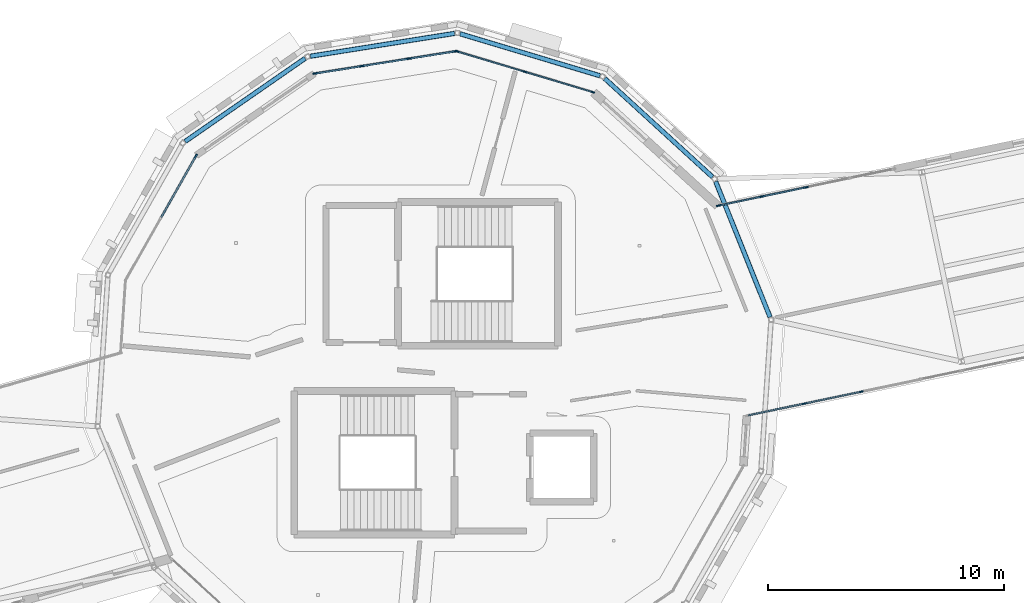
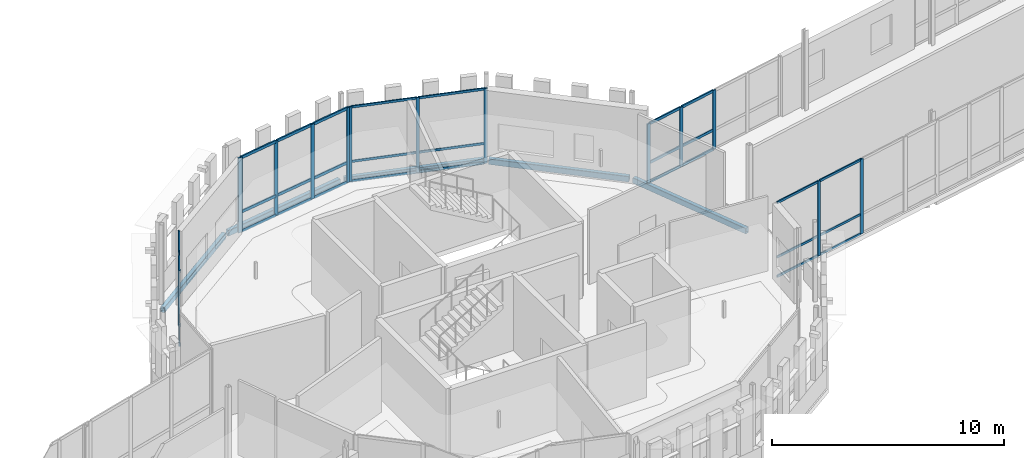
# One storey, part 50 of 125: 43 members, 5 beams, 5 elements without a shape of their own.
"""IFC4 building model written with IfcOpenShell, lengths in metres."""

from ifc_helpers import new_model, si_unit, direction, frame, origin, origin_2d, place, context, subcontext, project, spatial, rectangle, hollow_rectangle, extrude, material, material_profile, profile_set, type_object, element, aggregate, save


model = new_model("IFC4")

# Units and contexts
model_context = context("Model", 3, precision=1e-05, world=origin(), true_north=direction((0.0, 1.0)))
body_context = subcontext(model_context, "Body", "Model", "MODEL_VIEW")
ifc_project = project(units=[si_unit("LENGTHUNIT", "METRE"), si_unit("AREAUNIT", "SQUARE_METRE"), si_unit("VOLUMEUNIT", "CUBIC_METRE"), si_unit("PLANEANGLEUNIT", "RADIAN"), si_unit("MASSUNIT", "GRAM", prefix="KILO")], contexts=[model_context])

# Site, building, storey
site_placement = place(None, origin())
site = spatial("IfcSite", under=ifc_project, at=site_placement, CompositionType="ELEMENT")
building_placement = place(site_placement, origin())
building = spatial("IfcBuilding", under=site, at=building_placement, Name="Wrenclough Park School", CompositionType="ELEMENT")
storey_placement = place(building_placement, frame((0.0, 0.0, 4.199951171875)))
storey = spatial("IfcBuildingStorey", under=building, at=storey_placement, Name="L01", CompositionType="ELEMENT", Elevation=4.199951171875)

# Curtain wall, members
ifc_material_1 = material(Name="Thermally broken aluminium and low-e glass curtain wall", Category="aluminium")
curtain_wall_type_1 = type_object("IfcCurtainWallType", Name="ENV-CW-10", PredefinedType="USERDEFINED", material=ifc_material_1)
curtain_wall_1_placement = place(storey_placement, origin())
curtain_wall_1 = element("IfcCurtainWall", 1, at=curtain_wall_1_placement, inside=storey, type_object=curtain_wall_type_1, Name="L01 recessed curtain wall assembly 105", ObjectType="CURTAIN WALL", PredefinedType="USERDEFINED")
ifc_material_2 = material(Name="Thermally broken anodised aluminium", Category="aluminium")
ifc_material_profile_1 = material_profile(ifc_material_2, rectangle(XDim=0.06005859375, YDim=0.159912109375, at=origin_2d()), Name="AL MULLION 60x160")
ifc_profile_set_1 = profile_set([ifc_material_profile_1], Name="Thermally broken anodised aluminium")
member_type_1 = type_object("IfcMemberType", Name="ENV-CWM-1", PredefinedType="MULLION", material=ifc_profile_set_1)
member_1_placement = place(storey_placement, frame((83.95263671875, 122.135986328125, 0.0), z_axis=(0.0, 0.0, 1.0), x_axis=(0.287583325168, 0.957755621798, 0.0)))
member_1 = element("IfcMember", 2, at=member_1_placement, type_object=member_type_1, Name="CW-10 mullion 1", PredefinedType="MULLION", context=body_context, shape_type="SweptSolid", body=[
    extrude(rectangle(XDim=0.06005859375, YDim=0.159912109375, at=origin_2d()), origin(), (0.0, 0.0, 1.0), 3.93994140625),
])
member_2_placement = place(storey_placement, frame((86.834716796875, 121.270751953125, 0.0), z_axis=(0.0, 0.0, 1.0), x_axis=(0.287583325168, 0.957755621798, 0.0)))
member_2 = element("IfcMember", 3, at=member_2_placement, type_object=member_type_1, Name="CW-10 mullion 2", PredefinedType="MULLION", context=body_context, shape_type="SweptSolid", body=[
    extrude(rectangle(XDim=0.06005859375, YDim=0.159912109375, at=origin_2d()), origin(), (0.0, 0.0, 1.0), 3.93994140625),
])
member_3_placement = place(storey_placement, frame((89.717041015625, 120.4052734375, 0.0), z_axis=(0.0, 0.0, 1.0), x_axis=(0.287583325168, 0.957755621798, 0.0)))
member_3 = element("IfcMember", 4, at=member_3_placement, type_object=member_type_1, Name="CW-10 mullion 3", PredefinedType="MULLION", context=body_context, shape_type="SweptSolid", body=[
    extrude(rectangle(XDim=0.06005859375, YDim=0.159912109375, at=origin_2d()), origin(), (0.0, 0.0, 1.0), 3.93994140625),
])

curtain_wall_type_2 = type_object("IfcCurtainWallType", Name="ENV-CW-06", PredefinedType="USERDEFINED", material=ifc_material_1)
curtain_wall_2_placement = place(storey_placement, origin())
curtain_wall_2 = element("IfcCurtainWall", 5, at=curtain_wall_2_placement, inside=storey, type_object=curtain_wall_type_2, Name="L01 recessed curtain wall assembly 165", ObjectType="CURTAIN WALL", PredefinedType="USERDEFINED")
member_4_placement = place(storey_placement, frame((101.10107421875, 107.71142578125, 0.0), z_axis=(0.0, 0.0, 1.0), x_axis=(0.204873635602, -0.978788431396, 0.0)))
member_4 = element("IfcMember", 6, at=member_4_placement, type_object=member_type_1, Name="CW-06 mullion 2", PredefinedType="MULLION", context=body_context, shape_type="SweptSolid", body=[
    extrude(rectangle(XDim=0.06005859375, YDim=0.159912109375, at=origin_2d()), origin(), (0.0, 0.0, 1.0), 3.93994140625),
])
member_5_placement = place(storey_placement, frame((98.673828125, 107.203369140625, 0.0), z_axis=(0.0, 0.0, 1.0), x_axis=(0.204873635602, -0.978788431396, 0.0)))
member_5 = element("IfcMember", 7, at=member_5_placement, type_object=member_type_1, Name="CW-06 mullion 3", PredefinedType="MULLION", context=body_context, shape_type="SweptSolid", body=[
    extrude(rectangle(XDim=0.06005859375, YDim=0.159912109375, at=origin_2d()), origin(), (0.0, 0.0, 1.0), 3.93994140625),
])

# Curtain wall, member
curtain_wall_type_3 = type_object("IfcCurtainWallType", Name="ENV-CW-08", PredefinedType="USERDEFINED", material=ifc_material_1)
curtain_wall_3_placement = place(storey_placement, origin())
curtain_wall_3 = element("IfcCurtainWall", 8, at=curtain_wall_3_placement, inside=storey, type_object=curtain_wall_type_3, Name="L01 recessed curtain wall assembly 103", ObjectType="CURTAIN WALL", PredefinedType="USERDEFINED")
ifc_material_profile_2 = material_profile(ifc_material_2, rectangle(XDim=0.06494140625, YDim=0.179931640625, at=origin_2d()), Name="AL MULLION 65x180")
ifc_profile_set_2 = profile_set([ifc_material_profile_2], Name="Thermally broken anodised aluminium")
member_type_2 = type_object("IfcMemberType", Name="ENV-CWM-2", PredefinedType="MULLION", material=ifc_profile_set_2)
member_6_placement = place(storey_placement, frame((72.886962890625, 117.69580078125, 0.0), z_axis=(0.0, 0.0, 1.0), x_axis=(-0.869745456163, 0.493500599274, 0.0)))
member_6 = element("IfcMember", 9, at=member_6_placement, type_object=member_type_2, Name="CW-08 mullion 3", PredefinedType="MULLION", context=body_context, shape_type="SweptSolid", body=[
    extrude(rectangle(XDim=0.06494140625, YDim=0.179931640625, at=origin_2d()), origin(), (0.0, 0.0, 1.0), 3.93994140625),
])

# Curtain wall, members
curtain_wall_type_4 = type_object("IfcCurtainWallType", Name="ENV-CW-11", PredefinedType="USERDEFINED", material=ifc_material_1)
curtain_wall_4_placement = place(storey_placement, origin())
curtain_wall_4 = element("IfcCurtainWall", 10, at=curtain_wall_4_placement, inside=storey, type_object=curtain_wall_type_4, Name="L01 recessed curtain wall assembly 106", ObjectType="CURTAIN WALL", PredefinedType="USERDEFINED")
member_7_placement = place(storey_placement, frame((95.04248046875, 115.59765625, 0.0), z_axis=(0.0, 0.0, 1.0), x_axis=(-0.204871023923, 0.978788978052, 0.0)))
member_7 = element("IfcMember", 11, at=member_7_placement, type_object=member_type_2, Name="CW-11 mullion 1", PredefinedType="MULLION", context=body_context, shape_type="SweptSolid", body=[
    extrude(rectangle(XDim=0.06494140625, YDim=0.179931640625, at=origin_2d()), origin(), (0.0, 0.0, 1.0), 3.132080078125),
])
member_8_placement = place(storey_placement, frame((96.881103515625, 115.982421875, 0.0), z_axis=(0.0, 0.0, 1.0), x_axis=(-0.204871023923, 0.978788978052, 0.0)))
member_8 = element("IfcMember", 12, at=member_8_placement, type_object=member_type_2, Name="CW-11 mullion 2", PredefinedType="MULLION", context=body_context, shape_type="SweptSolid", body=[
    extrude(rectangle(XDim=0.06494140625, YDim=0.179931640625, at=origin_2d()), origin(), (0.0, 0.0, 1.0), 3.132080078125),
])
member_9_placement = place(storey_placement, frame((98.75146484375, 116.373779296875, 0.0), z_axis=(0.0, 0.0, 1.0), x_axis=(-0.204871023923, 0.978788978052, 0.0)))
member_9 = element("IfcMember", 13, at=member_9_placement, type_object=member_type_2, Name="CW-11 mullion 3", PredefinedType="MULLION", context=body_context, shape_type="SweptSolid", body=[
    extrude(rectangle(XDim=0.06494140625, YDim=0.179931640625, at=origin_2d()), origin(), (0.0, 0.0, 1.0), 3.132080078125),
])

curtain_wall_type_5 = type_object("IfcCurtainWallType", Name="ENV-CW-09", PredefinedType="USERDEFINED", material=ifc_material_1)
curtain_wall_5_placement = place(storey_placement, origin())
curtain_wall_5 = element("IfcCurtainWall", 14, at=curtain_wall_5_placement, inside=storey, type_object=curtain_wall_type_5, Name="L01 recessed curtain wall assembly 104", ObjectType="CURTAIN WALL", PredefinedType="USERDEFINED")
ifc_material_profile_3 = material_profile(ifc_material_2, rectangle(XDim=0.070068359375, YDim=0.199951171875, at=origin_2d()), Name="AL MULLION 70x200")
ifc_profile_set_3 = profile_set([ifc_material_profile_3], Name="Thermally broken anodised aluminium")
member_type_3 = type_object("IfcMemberType", Name="ENV-CWM-3", PredefinedType="MULLION", material=ifc_profile_set_3)
member_10_placement = place(storey_placement, frame((77.946533203125, 121.199951171875, 0.0), z_axis=(0.0, 0.0, 1.0), x_axis=(-0.156425475408, 0.987689764371, 0.0)))
member_10 = element("IfcMember", 15, at=member_10_placement, type_object=member_type_3, Name="CW-09 mullion 1", PredefinedType="MULLION", context=body_context, shape_type="SweptSolid", body=[
    extrude(rectangle(XDim=0.070068359375, YDim=0.199951171875, at=origin_2d()), origin(), (0.0, 0.0, 1.0), 3.93994140625),
])
member_11_placement = place(storey_placement, frame((79.913330078125, 121.511474609375, 0.0), z_axis=(0.0, 0.0, 1.0), x_axis=(-0.156425475408, 0.987689764371, 0.0)))
member_11 = element("IfcMember", 16, at=member_11_placement, type_object=member_type_3, Name="CW-09 mullion 2", PredefinedType="MULLION", context=body_context, shape_type="SweptSolid", body=[
    extrude(rectangle(XDim=0.070068359375, YDim=0.199951171875, at=origin_2d()), origin(), (0.0, 0.0, 1.0), 3.93994140625),
])
member_12_placement = place(storey_placement, frame((81.914794921875, 121.828369140625, 0.0), z_axis=(0.0, 0.0, 1.0), x_axis=(-0.156425475408, 0.987689764371, 0.0)))
member_12 = element("IfcMember", 17, at=member_12_placement, type_object=member_type_3, Name="CW-09 mullion 3", PredefinedType="MULLION", context=body_context, shape_type="SweptSolid", body=[
    extrude(rectangle(XDim=0.070068359375, YDim=0.199951171875, at=origin_2d()), origin(), (0.0, 0.0, 1.0), 3.93994140625),
])
member_13_placement = place(storey_placement, frame((83.881591796875, 122.139892578125, 0.0), z_axis=(0.0, 0.0, 1.0), x_axis=(-0.156425475408, 0.987689764371, 0.0)))
member_13 = element("IfcMember", 18, at=member_13_placement, type_object=member_type_3, Name="CW-09 mullion 4", PredefinedType="MULLION", context=body_context, shape_type="SweptSolid", body=[
    extrude(rectangle(XDim=0.070068359375, YDim=0.199951171875, at=origin_2d()), origin(), (0.0, 0.0, 1.0), 3.93994140625),
])

# Member
ifc_material_profile_4 = material_profile(ifc_material_2, rectangle(XDim=0.06005859375, YDim=0.1201171875, at=origin_2d()), Name="AL TRANSOM 60x120")
ifc_profile_set_4 = profile_set([ifc_material_profile_4], Name="Thermally broken anodised aluminium")
member_type_4 = type_object("IfcMemberType", Name="ENV-CWT-1", PredefinedType="USERDEFINED", material=ifc_profile_set_4)
member_14_placement = place(storey_placement, frame((83.9814453125, 122.12744140625, 0.030029296875), z_axis=(0.957757908143, -0.287575710708, 0.0), x_axis=(0.287575710708, 0.957757908143, 0.0)))
member_14 = element("IfcMember", 19, at=member_14_placement, type_object=member_type_4, Name="CW-10 transom 1.1", ObjectType="TRANSOM", PredefinedType="USERDEFINED", context=body_context, shape_type="SweptSolid", body=[
    extrude(rectangle(XDim=0.06005859375, YDim=0.1201171875, at=origin_2d()), origin(), (0.0, 0.0, 1.0), 2.94921875),
])

member_15_placement = place(storey_placement, frame((83.9814453125, 122.12744140625, 1.050048828125), z_axis=(0.957757908143, -0.287575710708, 0.0), x_axis=(0.287575710708, 0.957757908143, 0.0)))
member_15 = element("IfcMember", 20, at=member_15_placement, type_object=member_type_4, Name="CW-10 transom 1.2", ObjectType="TRANSOM", PredefinedType="USERDEFINED", context=body_context, shape_type="SweptSolid", body=[
    extrude(rectangle(XDim=0.06005859375, YDim=0.1201171875, at=origin_2d()), origin(), (0.0, 0.0, 1.0), 2.94921875),
])

member_16_placement = place(storey_placement, frame((83.9814453125, 122.12744140625, 3.91015625), z_axis=(0.957757908143, -0.287575710708, 0.0), x_axis=(0.287575710708, 0.957757908143, 0.0)))
member_16 = element("IfcMember", 21, at=member_16_placement, type_object=member_type_4, Name="CW-10 transom 1.3", ObjectType="TRANSOM", PredefinedType="USERDEFINED", context=body_context, shape_type="SweptSolid", body=[
    extrude(rectangle(XDim=0.06005859375, YDim=0.1201171875, at=origin_2d()), origin(), (0.0, 0.0, 1.0), 2.94921875),
])

member_17_placement = place(storey_placement, frame((86.863525390625, 121.261962890625, 0.030029296875), z_axis=(0.957757908143, -0.287575710708, 0.0), x_axis=(0.287575710708, 0.957757908143, 0.0)))
member_17 = element("IfcMember", 22, at=member_17_placement, type_object=member_type_4, Name="CW-10 transom 2.1", ObjectType="TRANSOM", PredefinedType="USERDEFINED", context=body_context, shape_type="SweptSolid", body=[
    extrude(rectangle(XDim=0.06005859375, YDim=0.1201171875, at=origin_2d()), origin(), (0.0, 0.0, 1.0), 2.94921875),
])

member_18_placement = place(storey_placement, frame((86.863525390625, 121.261962890625, 1.050048828125), z_axis=(0.957757908143, -0.287575710708, 0.0), x_axis=(0.287575710708, 0.957757908143, 0.0)))
member_18 = element("IfcMember", 23, at=member_18_placement, type_object=member_type_4, Name="CW-10 transom 2.2", ObjectType="TRANSOM", PredefinedType="USERDEFINED", context=body_context, shape_type="SweptSolid", body=[
    extrude(rectangle(XDim=0.06005859375, YDim=0.1201171875, at=origin_2d()), origin(), (0.0, 0.0, 1.0), 2.94921875),
])

member_19_placement = place(storey_placement, frame((86.863525390625, 121.261962890625, 3.91015625), z_axis=(0.957757908143, -0.287575710708, 0.0), x_axis=(0.287575710708, 0.957757908143, 0.0)))
member_19 = element("IfcMember", 24, at=member_19_placement, type_object=member_type_4, Name="CW-10 transom 2.3", ObjectType="TRANSOM", PredefinedType="USERDEFINED", context=body_context, shape_type="SweptSolid", body=[
    extrude(rectangle(XDim=0.06005859375, YDim=0.1201171875, at=origin_2d()), origin(), (0.0, 0.0, 1.0), 2.94921875),
])

aggregate(curtain_wall_1, [member_1, member_2, member_3, member_14, member_15, member_16, member_17, member_18, member_19])

member_20_placement = place(storey_placement, frame((101.07177734375, 107.705322265625, 0.030029296875), z_axis=(-0.978803796015, -0.204800217059, 0.0), x_axis=(0.204800217059, -0.978803796015, 0.0)))
member_20 = element("IfcMember", 25, at=member_20_placement, type_object=member_type_4, Name="CW-06 transom 2.1", ObjectType="TRANSOM", PredefinedType="USERDEFINED", context=body_context, shape_type="SweptSolid", body=[
    extrude(rectangle(XDim=0.06005859375, YDim=0.1201171875, at=origin_2d()), origin(), (0.0, 0.0, 1.0), 2.419921875),
])

member_21_placement = place(storey_placement, frame((101.07177734375, 107.705322265625, 1.050048828125), z_axis=(-0.978803796015, -0.204800217059, 0.0), x_axis=(0.204800217059, -0.978803796015, 0.0)))
member_21 = element("IfcMember", 26, at=member_21_placement, type_object=member_type_4, Name="CW-06 transom 2.2", ObjectType="TRANSOM", PredefinedType="USERDEFINED", context=body_context, shape_type="SweptSolid", body=[
    extrude(rectangle(XDim=0.06005859375, YDim=0.1201171875, at=origin_2d()), origin(), (0.0, 0.0, 1.0), 2.419921875),
])

member_22_placement = place(storey_placement, frame((101.07177734375, 107.705322265625, 3.91015625), z_axis=(-0.978803796015, -0.204800217059, 0.0), x_axis=(0.204800217059, -0.978803796015, 0.0)))
member_22 = element("IfcMember", 27, at=member_22_placement, type_object=member_type_4, Name="CW-06 transom 2.3", ObjectType="TRANSOM", PredefinedType="USERDEFINED", context=body_context, shape_type="SweptSolid", body=[
    extrude(rectangle(XDim=0.06005859375, YDim=0.1201171875, at=origin_2d()), origin(), (0.0, 0.0, 1.0), 2.419921875),
])

member_23_placement = place(storey_placement, frame((98.64453125, 107.197265625, 0.030029296875), z_axis=(-0.978801579841, -0.204810808556, 0.0), x_axis=(0.204810808556, -0.978801579841, 0.0)))
member_23 = element("IfcMember", 28, at=member_23_placement, type_object=member_type_4, Name="CW-06 transom 3.1", ObjectType="TRANSOM", PredefinedType="USERDEFINED", context=body_context, shape_type="SweptSolid", body=[
    extrude(rectangle(XDim=0.06005859375, YDim=0.1201171875, at=origin_2d()), origin(), (0.0, 0.0, 1.0), 2.39013671875),
])

member_24_placement = place(storey_placement, frame((98.64453125, 107.197265625, 1.050048828125), z_axis=(-0.978801579841, -0.204810808556, 0.0), x_axis=(0.204810808556, -0.978801579841, 0.0)))
member_24 = element("IfcMember", 29, at=member_24_placement, type_object=member_type_4, Name="CW-06 transom 3.2", ObjectType="TRANSOM", PredefinedType="USERDEFINED", context=body_context, shape_type="SweptSolid", body=[
    extrude(rectangle(XDim=0.06005859375, YDim=0.1201171875, at=origin_2d()), origin(), (0.0, 0.0, 1.0), 2.39013671875),
])

member_25_placement = place(storey_placement, frame((98.64453125, 107.197265625, 3.91015625), z_axis=(-0.978801579841, -0.204810808556, 0.0), x_axis=(0.204810808556, -0.978801579841, 0.0)))
member_25 = element("IfcMember", 30, at=member_25_placement, type_object=member_type_4, Name="CW-06 transom 3.3", ObjectType="TRANSOM", PredefinedType="USERDEFINED", context=body_context, shape_type="SweptSolid", body=[
    extrude(rectangle(XDim=0.06005859375, YDim=0.1201171875, at=origin_2d()), origin(), (0.0, 0.0, 1.0), 2.39013671875),
])

aggregate(curtain_wall_2, [member_4, member_5, member_20, member_21, member_22, member_23, member_24, member_25])

ifc_material_profile_5 = material_profile(ifc_material_2, rectangle(XDim=0.06494140625, YDim=0.139892578125, at=origin_2d()), Name="AL TRANSOM 65x140")
ifc_profile_set_5 = profile_set([ifc_material_profile_5], Name="Thermally broken anodised aluminium")
member_type_5 = type_object("IfcMemberType", Name="ENV-CWT-2", PredefinedType="USERDEFINED", material=ifc_profile_set_5)
member_26_placement = place(storey_placement, frame((71.4189453125, 115.10888671875, 0.032470703125), z_axis=(0.493535962957, 0.869725389573, 0.0), x_axis=(-0.869725389573, 0.493535962957, 0.0)))
member_26 = element("IfcMember", 31, at=member_26_placement, type_object=member_type_5, Name="CW-08 transom 2.1", ObjectType="TRANSOM", PredefinedType="USERDEFINED", context=body_context, shape_type="SweptSolid", body=[
    extrude(rectangle(XDim=0.06494140625, YDim=0.139892578125, at=origin_2d()), origin(), (0.0, 0.0, 1.0), 2.94189453125),
])

member_27_placement = place(storey_placement, frame((71.4189453125, 115.10888671875, 1.050048828125), z_axis=(0.493535962957, 0.869725389573, 0.0), x_axis=(-0.869725389573, 0.493535962957, 0.0)))
member_27 = element("IfcMember", 32, at=member_27_placement, type_object=member_type_5, Name="CW-08 transom 2.2", ObjectType="TRANSOM", PredefinedType="USERDEFINED", context=body_context, shape_type="SweptSolid", body=[
    extrude(rectangle(XDim=0.06494140625, YDim=0.139892578125, at=origin_2d()), origin(), (0.0, 0.0, 1.0), 2.94189453125),
])

member_28_placement = place(storey_placement, frame((71.4189453125, 115.10888671875, 3.907470703125), z_axis=(0.493535962957, 0.869725389573, 0.0), x_axis=(-0.869725389573, 0.493535962957, 0.0)))
member_28 = element("IfcMember", 33, at=member_28_placement, type_object=member_type_5, Name="CW-08 transom 2.3", ObjectType="TRANSOM", PredefinedType="USERDEFINED", context=body_context, shape_type="SweptSolid", body=[
    extrude(rectangle(XDim=0.06494140625, YDim=0.139892578125, at=origin_2d()), origin(), (0.0, 0.0, 1.0), 2.94189453125),
])

aggregate(curtain_wall_3, [member_6, member_26, member_27, member_28])

member_29_placement = place(storey_placement, frame((95.07421875, 115.604248046875, 0.032470703125), z_axis=(0.978780578933, 0.204911147337, 0.0), x_axis=(-0.204911147337, 0.978780578933, 0.0)))
member_29 = element("IfcMember", 34, at=member_29_placement, type_object=member_type_5, Name="CW-11 transom 1.1", ObjectType="TRANSOM", PredefinedType="USERDEFINED", context=body_context, shape_type="SweptSolid", body=[
    extrude(rectangle(XDim=0.06494140625, YDim=0.139892578125, at=origin_2d()), origin(), (0.0, 0.0, 1.0), 1.8134765625),
])

member_30_placement = place(storey_placement, frame((95.07421875, 115.604248046875, 1.050048828125), z_axis=(0.978780578933, 0.204911147337, 0.0), x_axis=(-0.204911147337, 0.978780578933, 0.0)))
member_30 = element("IfcMember", 35, at=member_30_placement, type_object=member_type_5, Name="CW-11 transom 1.2", ObjectType="TRANSOM", PredefinedType="USERDEFINED", context=body_context, shape_type="SweptSolid", body=[
    extrude(rectangle(XDim=0.06494140625, YDim=0.139892578125, at=origin_2d()), origin(), (0.0, 0.0, 1.0), 1.8134765625),
])

member_31_placement = place(storey_placement, frame((95.07421875, 115.604248046875, 3.099609375), z_axis=(0.978780578933, 0.204911147337, 0.0), x_axis=(-0.204911147337, 0.978780578933, 0.0)))
member_31 = element("IfcMember", 36, at=member_31_placement, type_object=member_type_5, Name="CW-11 transom 1.3", ObjectType="TRANSOM", PredefinedType="USERDEFINED", context=body_context, shape_type="SweptSolid", body=[
    extrude(rectangle(XDim=0.06494140625, YDim=0.139892578125, at=origin_2d()), origin(), (0.0, 0.0, 1.0), 1.8134765625),
])

member_32_placement = place(storey_placement, frame((96.912841796875, 115.989013671875, 0.032470703125), z_axis=(0.978791858667, 0.204857261056, 0.0), x_axis=(-0.204857261056, 0.978791858667, 0.0)))
member_32 = element("IfcMember", 37, at=member_32_placement, type_object=member_type_5, Name="CW-11 transom 2.1", ObjectType="TRANSOM", PredefinedType="USERDEFINED", context=body_context, shape_type="SweptSolid", body=[
    extrude(rectangle(XDim=0.06494140625, YDim=0.139892578125, at=origin_2d()), origin(), (0.0, 0.0, 1.0), 1.845947265625),
])

member_33_placement = place(storey_placement, frame((96.912841796875, 115.989013671875, 1.050048828125), z_axis=(0.978791858667, 0.204857261056, 0.0), x_axis=(-0.204857261056, 0.978791858667, 0.0)))
member_33 = element("IfcMember", 38, at=member_33_placement, type_object=member_type_5, Name="CW-11 transom 2.2", ObjectType="TRANSOM", PredefinedType="USERDEFINED", context=body_context, shape_type="SweptSolid", body=[
    extrude(rectangle(XDim=0.06494140625, YDim=0.139892578125, at=origin_2d()), origin(), (0.0, 0.0, 1.0), 1.845947265625),
])

member_34_placement = place(storey_placement, frame((96.912841796875, 115.989013671875, 3.099609375), z_axis=(0.978791858667, 0.204857261056, 0.0), x_axis=(-0.204857261056, 0.978791858667, 0.0)))
member_34 = element("IfcMember", 39, at=member_34_placement, type_object=member_type_5, Name="CW-11 transom 2.3", ObjectType="TRANSOM", PredefinedType="USERDEFINED", context=body_context, shape_type="SweptSolid", body=[
    extrude(rectangle(XDim=0.06494140625, YDim=0.139892578125, at=origin_2d()), origin(), (0.0, 0.0, 1.0), 1.845947265625),
])

aggregate(curtain_wall_4, [member_7, member_8, member_9, member_29, member_30, member_31, member_32, member_33, member_34])

ifc_material_profile_6 = material_profile(ifc_material_2, rectangle(XDim=0.070068359375, YDim=0.14990234375, at=origin_2d()), Name="AL TRANSOM 70x150")
ifc_profile_set_6 = profile_set([ifc_material_profile_6], Name="Thermally broken anodised aluminium")
member_type_6 = type_object("IfcMemberType", Name="ENV-CWT-3", PredefinedType="USERDEFINED", material=ifc_profile_set_6)
member_35_placement = place(storey_placement, frame((77.981201171875, 121.205322265625, 0.03515625), z_axis=(0.987690740693, 0.156419310664, 0.0), x_axis=(-0.156419310664, 0.987690740693, 0.0)))
member_35 = element("IfcMember", 40, at=member_35_placement, type_object=member_type_6, Name="CW-09 transom 1.1", ObjectType="TRANSOM", PredefinedType="USERDEFINED", context=body_context, shape_type="SweptSolid", body=[
    extrude(rectangle(XDim=0.070068359375, YDim=0.14990234375, at=origin_2d()), origin(), (0.0, 0.0, 1.0), 1.92138671875),
])

member_36_placement = place(storey_placement, frame((77.981201171875, 121.205322265625, 1.050048828125), z_axis=(0.987690740693, 0.156419310664, 0.0), x_axis=(-0.156419310664, 0.987690740693, 0.0)))
member_36 = element("IfcMember", 41, at=member_36_placement, type_object=member_type_6, Name="CW-09 transom 1.2", ObjectType="TRANSOM", PredefinedType="USERDEFINED", context=body_context, shape_type="SweptSolid", body=[
    extrude(rectangle(XDim=0.070068359375, YDim=0.14990234375, at=origin_2d()), origin(), (0.0, 0.0, 1.0), 1.92138671875),
])

member_37_placement = place(storey_placement, frame((77.981201171875, 121.205322265625, 3.905029296875), z_axis=(0.987690740693, 0.156419310664, 0.0), x_axis=(-0.156419310664, 0.987690740693, 0.0)))
member_37 = element("IfcMember", 42, at=member_37_placement, type_object=member_type_6, Name="CW-09 transom 1.3", ObjectType="TRANSOM", PredefinedType="USERDEFINED", context=body_context, shape_type="SweptSolid", body=[
    extrude(rectangle(XDim=0.070068359375, YDim=0.14990234375, at=origin_2d()), origin(), (0.0, 0.0, 1.0), 1.92138671875),
])

member_38_placement = place(storey_placement, frame((79.947998046875, 121.516845703125, 0.03515625), z_axis=(0.987697102523, 0.156379134377, 0.0), x_axis=(-0.156379134377, 0.987697102523, 0.0)))
member_38 = element("IfcMember", 43, at=member_38_placement, type_object=member_type_6, Name="CW-09 transom 2.1", ObjectType="TRANSOM", PredefinedType="USERDEFINED", context=body_context, shape_type="SweptSolid", body=[
    extrude(rectangle(XDim=0.070068359375, YDim=0.14990234375, at=origin_2d()), origin(), (0.0, 0.0, 1.0), 1.956298828125),
])

member_39_placement = place(storey_placement, frame((79.947998046875, 121.516845703125, 1.050048828125), z_axis=(0.987697102523, 0.156379134377, 0.0), x_axis=(-0.156379134377, 0.987697102523, 0.0)))
member_39 = element("IfcMember", 44, at=member_39_placement, type_object=member_type_6, Name="CW-09 transom 2.2", ObjectType="TRANSOM", PredefinedType="USERDEFINED", context=body_context, shape_type="SweptSolid", body=[
    extrude(rectangle(XDim=0.070068359375, YDim=0.14990234375, at=origin_2d()), origin(), (0.0, 0.0, 1.0), 1.956298828125),
])

member_40_placement = place(storey_placement, frame((79.947998046875, 121.516845703125, 3.905029296875), z_axis=(0.987697102523, 0.156379134377, 0.0), x_axis=(-0.156379134377, 0.987697102523, 0.0)))
member_40 = element("IfcMember", 45, at=member_40_placement, type_object=member_type_6, Name="CW-09 transom 2.3", ObjectType="TRANSOM", PredefinedType="USERDEFINED", context=body_context, shape_type="SweptSolid", body=[
    extrude(rectangle(XDim=0.070068359375, YDim=0.14990234375, at=origin_2d()), origin(), (0.0, 0.0, 1.0), 1.956298828125),
])

member_41_placement = place(storey_placement, frame((81.94921875, 121.833740234375, 0.03515625), z_axis=(0.987690740693, 0.156419310664, 0.0), x_axis=(-0.156419310664, 0.987690740693, 0.0)))
member_41 = element("IfcMember", 46, at=member_41_placement, type_object=member_type_6, Name="CW-09 transom 3.1", ObjectType="TRANSOM", PredefinedType="USERDEFINED", context=body_context, shape_type="SweptSolid", body=[
    extrude(rectangle(XDim=0.070068359375, YDim=0.14990234375, at=origin_2d()), origin(), (0.0, 0.0, 1.0), 1.92138671875),
])

member_42_placement = place(storey_placement, frame((81.94921875, 121.833740234375, 1.050048828125), z_axis=(0.987690740693, 0.156419310664, 0.0), x_axis=(-0.156419310664, 0.987690740693, 0.0)))
member_42 = element("IfcMember", 47, at=member_42_placement, type_object=member_type_6, Name="CW-09 transom 3.2", ObjectType="TRANSOM", PredefinedType="USERDEFINED", context=body_context, shape_type="SweptSolid", body=[
    extrude(rectangle(XDim=0.070068359375, YDim=0.14990234375, at=origin_2d()), origin(), (0.0, 0.0, 1.0), 1.92138671875),
])

member_43_placement = place(storey_placement, frame((81.94921875, 121.833740234375, 3.905029296875), z_axis=(0.987690740693, 0.156419310664, 0.0), x_axis=(-0.156419310664, 0.987690740693, 0.0)))
member_43 = element("IfcMember", 48, at=member_43_placement, type_object=member_type_6, Name="CW-09 transom 3.3", ObjectType="TRANSOM", PredefinedType="USERDEFINED", context=body_context, shape_type="SweptSolid", body=[
    extrude(rectangle(XDim=0.070068359375, YDim=0.14990234375, at=origin_2d()), origin(), (0.0, 0.0, 1.0), 1.92138671875),
])

aggregate(curtain_wall_5, [member_10, member_11, member_12, member_13, member_35, member_36, member_37, member_38, member_39, member_40, member_41, member_42, member_43])

# Beams
ifc_material_3 = material(Name="Structural steel S355", Category="steel")
ifc_material_profile_7 = material_profile(ifc_material_3, hollow_rectangle(XDim=0.199951171875, YDim=0.300048828125, WallThickness=0.012451171875, InnerFilletRadius=0.012451171875, OuterFilletRadius=0.018798828125, at=origin_2d()), Name="RHS 300x200x12.5")
ifc_profile_set_7 = profile_set([ifc_material_profile_7], Name="Structural steel S355")
beam_type = type_object("IfcBeamType", Name="STR-BM-RHS300", PredefinedType="SPANDREL", material=ifc_profile_set_7)
for number, where, z_axis, x_axis, name in (
    (49, (97.227294921875, 110.871826171875, -0.39990234375), (-0.37227441502, 0.928122707362, 0.0), (-0.928122707362, -0.37227441502, 0.0), "D4 L01 outer ring spandrel beam 1"),
    (50, (94.789306640625, 116.81005859375, -0.39990234375), (-0.73812082797, 0.674668543298, 0.0), (-0.674668543298, -0.73812082797, 0.0), "D4 L01 outer ring spandrel beam 2"),
    (51, (90.016357421875, 121.102294921875, -0.39990234375), (-0.957751362877, 0.287597508521, 0.0), (-0.287597508521, -0.957751362877, 0.0), "D4 L01 outer ring spandrel beam 3"),
):
    element("IfcBeam", number, at=place(storey_placement, frame(where, z_axis=z_axis, x_axis=x_axis)), inside=storey, type_object=beam_type, Name=name, PredefinedType="SPANDREL", context=body_context, shape_type="SweptSolid", body=[
        extrude(hollow_rectangle(XDim=0.199951171875, YDim=0.300048828125, WallThickness=0.012451171875, InnerFilletRadius=0.012451171875, OuterFilletRadius=0.018798828125, at=origin_2d()), origin(), (0.0, 0.0, 1.0), 6.19091796875),
    ])
beam_1_placement = place(storey_placement, frame((83.853515625, 122.8984375, -0.39990234375), z_axis=(-0.987692838925, -0.156406061057, 0.0), x_axis=(0.156406061057, -0.987692838925, 0.0)))
element("IfcBeam", 52, at=beam_1_placement, inside=storey, type_object=beam_type, Name="D4 L01 outer ring spandrel beam 4", PredefinedType="SPANDREL", context=body_context, shape_type="SweptSolid", body=[
    extrude(hollow_rectangle(XDim=0.199951171875, YDim=0.300048828125, WallThickness=0.012451171875, InnerFilletRadius=0.012451171875, OuterFilletRadius=0.018798828125, at=origin_2d()), origin(), (0.0, 0.0, 1.0), 6.190673828125),
])
beam_2_placement = place(storey_placement, frame((77.521728515625, 121.843017578125, -0.39990234375), z_axis=(-0.821997646793, -0.569490885499, 0.0), x_axis=(0.569490885499, -0.821997646793, 0.0)))
element("IfcBeam", 53, at=beam_2_placement, inside=storey, type_object=beam_type, Name="D4 L01 outer ring spandrel beam 5", PredefinedType="SPANDREL", context=body_context, shape_type="SweptSolid", body=[
    extrude(hollow_rectangle(XDim=0.199951171875, YDim=0.300048828125, WallThickness=0.012451171875, InnerFilletRadius=0.012451171875, OuterFilletRadius=0.018798828125, at=origin_2d()), origin(), (0.0, 0.0, 1.0), 6.19091796875),
])

save(model, "model.ifc")
